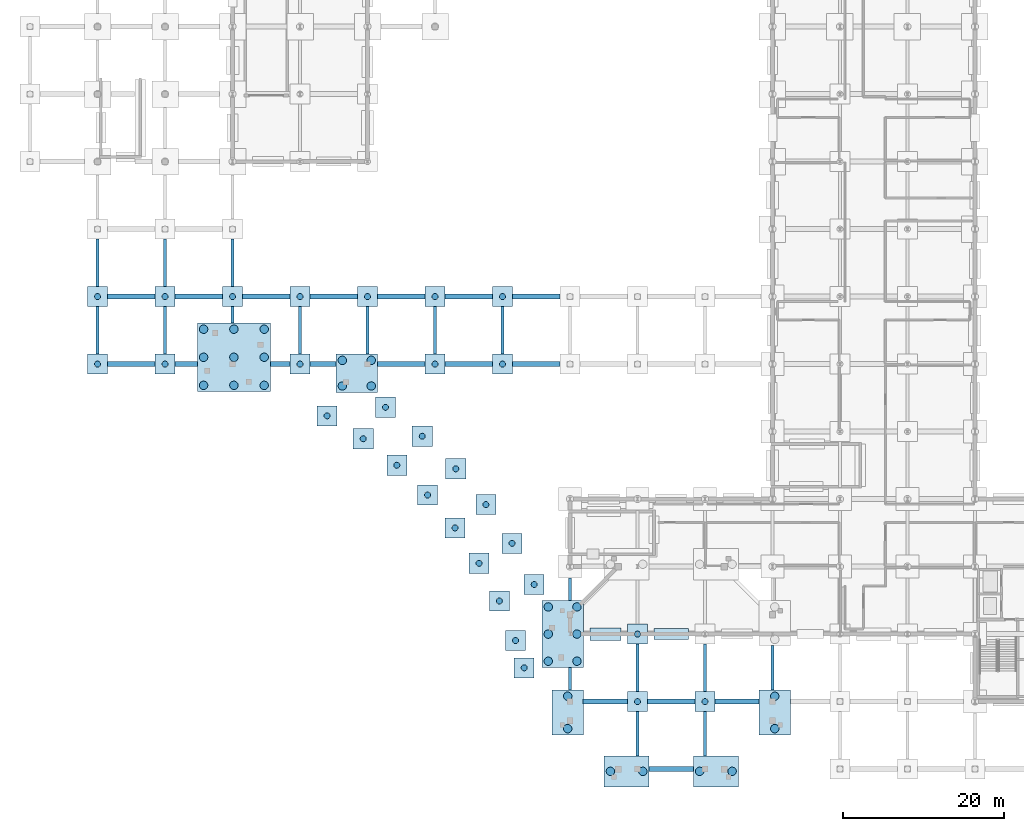
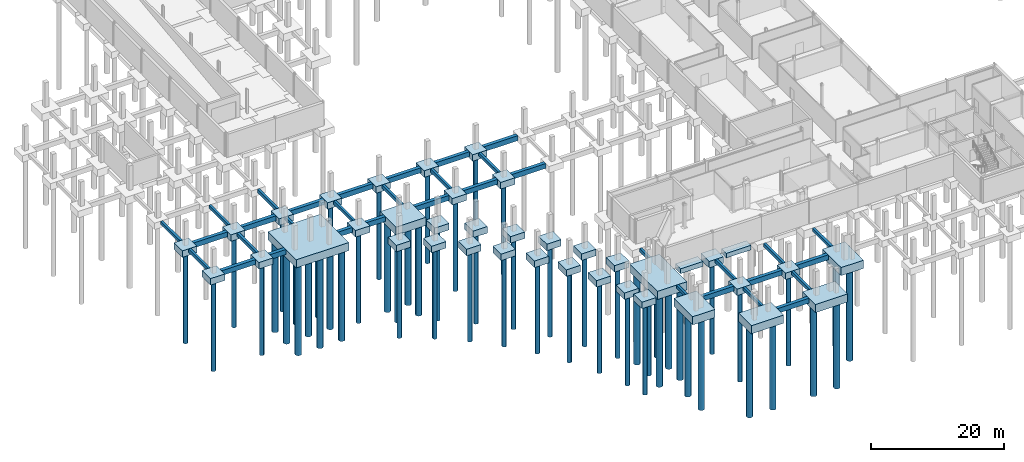
# One storey, part 1 of 43: 74 footings, 57 piles.
"""IFC4 building model written with IfcOpenShell, lengths in metres."""

from ifc_helpers import new_model, si_unit, direction, frame, origin, origin_2d, place, context, subcontext, project, spatial, rectangle, circle, extrude, material, layer, layer_set, material_profile, profile_set, type_object, element, save


model = new_model("IFC4")

# Units and contexts
model_context = context("Model", 3, precision=1e-05, world=origin(), true_north=direction((0.0, 1.0)))
body_context = subcontext(model_context, "Body", "Model", "MODEL_VIEW")
ifc_project = project(units=[si_unit("LENGTHUNIT", "METRE"), si_unit("AREAUNIT", "SQUARE_METRE"), si_unit("VOLUMEUNIT", "CUBIC_METRE"), si_unit("PLANEANGLEUNIT", "RADIAN"), si_unit("MASSUNIT", "GRAM", prefix="KILO")], contexts=[model_context])

# Site, building, storey
site_placement = place(None, origin())
site = spatial("IfcSite", under=ifc_project, at=site_placement, CompositionType="ELEMENT")
building_placement = place(site_placement, origin())
building = spatial("IfcBuilding", under=site, at=building_placement, Name="Mersafa Astral City Hall", CompositionType="ELEMENT")
storey_placement = place(building_placement, frame((0.0, 0.0, -4.5)))
storey = spatial("IfcBuildingStorey", under=building, at=storey_placement, Name="B1", CompositionType="ELEMENT", Elevation=-4.5)

# Footings
ifc_material = material(Name="Concrete C40/50", Category="concrete")
ifc_layer_1 = layer(ifc_material, 1.5, Name="Concrete C40/50")
ifc_layer_set_1 = layer_set([ifc_layer_1], Name="Concrete C40/50 — STR-FTG-PC-1-387X561X1500")
footing_type_1 = type_object("IfcFootingType", Name="STR-FTG-PC-1-387X561X1500", PredefinedType="PILE_CAP", material=ifc_layer_set_1)
for number, where, z_axis, x_axis, name in (
    (1, (74.2451171875, -0.287109375, -1.5), (0.0, 0.0, 1.0), (1.0, 0.0, 0.0), "Reinforced concrete pile cap 1"),
    (2, (85.35498046875, -0.287109375, -1.5), (0.0, 0.0, 1.0), (1.0, 0.0, 0.0), "Reinforced concrete pile cap 2"),
):
    element("IfcFooting", number, at=place(storey_placement, frame(where, z_axis=z_axis, x_axis=x_axis)), inside=storey, type_object=footing_type_1, Name=name, PredefinedType="PILE_CAP", context=body_context, shape_type="SweptSolid", body=[
        extrude(rectangle(XDim=5.610107421875, YDim=3.8740234375, at=origin_2d()), origin(), (0.0, 0.0, 1.0), 1.5),
    ])
for number, where, z_axis, x_axis, name in (
    (3, (66.9130859375, 7.044921875, -1.5), (0.0, 0.0, 1.0), (1.0, 0.0, 0.0), "Reinforced concrete pile cap 10"),
    (4, (92.68701171875, 7.044921875, -1.5), (0.0, 0.0, 1.0), (1.0, 0.0, 0.0), "Reinforced concrete pile cap 11"),
):
    element("IfcFooting", number, at=place(storey_placement, frame(where, z_axis=z_axis, x_axis=x_axis)), inside=storey, type_object=footing_type_1, Name=name, PredefinedType="PILE_CAP", context=body_context, shape_type="SweptSolid", body=[
        extrude(rectangle(XDim=3.8740234375, YDim=5.610107421875, at=origin_2d()), origin(), (0.0, 0.0, 1.0), 1.5),
    ])
ifc_layer_2 = layer(ifc_material, 1.199951171875, Name="Concrete C40/50")
ifc_layer_set_2 = layer_set([ifc_layer_2], Name="Concrete C40/50 — STR-FTG-PC-2-250X250X1200")
footing_type_2 = type_object("IfcFootingType", Name="STR-FTG-PC-2-250X250X1200", PredefinedType="PILE_CAP", material=ifc_layer_set_2)
for number, where, z_axis, x_axis, name in (
    (5, (75.60009765625, 8.39990234375, -1.2001953125), (0.0, 0.0, 1.0), (1.0, 0.0, 0.0), "Reinforced concrete pile cap 16"),
    (6, (84.0, 8.39990234375, -1.2001953125), (0.0, 0.0, 1.0), (1.0, 0.0, 0.0), "Reinforced concrete pile cap 17"),
    (7, (61.5, 12.60009765625, -1.2001953125), (0.0, 0.0, 1.0), (1.0, 0.0, 0.0), "Reinforced concrete pile cap 21"),
    (8, (60.43310546875, 15.988037109375, -1.2001953125), (0.0, 0.0, 1.0), (1.0, 0.0, 0.0), "Reinforced concrete pile cap 23"),
    (9, (75.60009765625, 16.800048828125, -1.2001953125), (0.0, 0.0, 1.0), (1.0, 0.0, 0.0), "Reinforced concrete pile cap 29"),
    (10, (58.405029296875, 20.9140625, -1.2001953125), (0.0, 0.0, 1.0), (1.0, 0.0, 0.0), "Reinforced concrete pile cap 34"),
    (11, (62.743896484375, 22.967041015625, -1.2001953125), (0.0, 0.0, 1.0), (1.0, 0.0, 0.0), "Reinforced concrete pile cap 35"),
    (12, (55.883056640625, 25.60693359375, -1.2001953125), (0.0, 0.0, 1.0), (1.0, 0.0, 0.0), "Reinforced concrete pile cap 47"),
    (13, (59.989990234375, 28.093017578125, -1.2001953125), (0.0, 0.0, 1.0), (1.0, 0.0, 0.0), "Reinforced concrete pile cap 48"),
    (14, (52.89501953125, 30.01708984375, -1.2001953125), (0.0, 0.0, 1.0), (1.0, 0.0, 0.0), "Reinforced concrete pile cap 49"),
    (15, (56.72607421875, 32.909912109375, -1.2001953125), (0.0, 0.0, 1.0), (1.0, 0.0, 0.0), "Reinforced concrete pile cap 50"),
    (16, (49.470947265625, 34.09912109375, -1.2001953125), (0.0, 0.0, 1.0), (1.0, 0.0, 0.0), "Reinforced concrete pile cap 62"),
    (17, (52.986083984375, 37.367919921875, -1.2001953125), (0.0, 0.0, 1.0), (1.0, 0.0, 0.0), "Reinforced concrete pile cap 63"),
    (18, (45.64794921875, 37.80810546875, -1.2001953125), (0.0, 0.0, 1.0), (1.0, 0.0, 0.0), "Reinforced concrete pile cap 64"),
    (19, (41.465087890625, 41.10693359375, -1.2001953125), (0.0, 0.0, 1.0), (1.0, 0.0, 0.0), "Reinforced concrete pile cap 65"),
    (20, (48.80908203125, 41.419921875, -1.2001953125), (0.0, 0.0, 1.0), (1.0, 0.0, 0.0), "Reinforced concrete pile cap 66"),
    (21, (36.966064453125, 43.9609375, -1.2001953125), (0.0, 0.0, 1.0), (1.0, 0.0, 0.0), "Reinforced concrete pile cap 75"),
    (22, (44.239990234375, 45.02294921875, -1.2001953125), (0.0, 0.0, 1.0), (1.0, 0.0, 0.0), "Reinforced concrete pile cap 76"),
    (23, (8.39990234375, 50.39990234375, -1.2001953125), (0.0, 0.0, 1.0), (1.0, 0.0, 0.0), "Reinforced concrete pile cap 84"),
    (24, (16.800048828125, 50.39990234375, -1.2001953125), (0.0, 0.0, 1.0), (1.0, 0.0, 0.0), "Reinforced concrete pile cap 85"),
    (25, (33.60009765625, 50.39990234375, -1.2001953125), (0.0, 0.0, 1.0), (1.0, 0.0, 0.0), "Reinforced concrete pile cap 86"),
    (26, (50.39990234375, 50.39990234375, -1.2001953125), (0.0, 0.0, 1.0), (1.0, 0.0, 0.0), "Reinforced concrete pile cap 87"),
    (27, (58.800048828125, 50.39990234375, -1.2001953125), (0.0, 0.0, 1.0), (1.0, 0.0, 0.0), "Reinforced concrete pile cap 88"),
    (28, (8.39990234375, 58.800048828125, -1.2001953125), (0.0, 0.0, 1.0), (1.0, 0.0, 0.0), "Reinforced concrete pile cap 100"),
    (29, (16.800048828125, 58.800048828125, -1.2001953125), (0.0, 0.0, 1.0), (1.0, 0.0, 0.0), "Reinforced concrete pile cap 101"),
    (30, (25.199951171875, 58.800048828125, -1.2001953125), (0.0, 0.0, 1.0), (1.0, 0.0, 0.0), "Reinforced concrete pile cap 102"),
    (31, (33.60009765625, 58.800048828125, -1.2001953125), (0.0, 0.0, 1.0), (1.0, 0.0, 0.0), "Reinforced concrete pile cap 103"),
    (32, (42.0, 58.800048828125, -1.2001953125), (0.0, 0.0, 1.0), (1.0, 0.0, 0.0), "Reinforced concrete pile cap 104"),
    (33, (50.39990234375, 58.800048828125, -1.2001953125), (0.0, 0.0, 1.0), (1.0, 0.0, 0.0), "Reinforced concrete pile cap 105"),
    (34, (58.800048828125, 58.800048828125, -1.2001953125), (0.0, 0.0, 1.0), (1.0, 0.0, 0.0), "Reinforced concrete pile cap 106"),
):
    element("IfcFooting", number, at=place(storey_placement, frame(where, z_axis=z_axis, x_axis=x_axis)), inside=storey, type_object=footing_type_2, Name=name, PredefinedType="PILE_CAP", context=body_context, shape_type="SweptSolid", body=[
        extrude(rectangle(XDim=2.5, YDim=2.5, at=origin_2d()), origin(), (0.0, 0.0, 1.0), 1.199951171875),
    ])
ifc_layer_3 = layer(ifc_material, 1.5, Name="Concrete C40/50")
ifc_layer_set_3 = layer_set([ifc_layer_3], Name="Concrete C40/50 — STR-FTG-PC-4-514X832X1500")
footing_type_3 = type_object("IfcFootingType", Name="STR-FTG-PC-4-514X832X1500", PredefinedType="PILE_CAP", material=ifc_layer_set_3)
footing_1_placement = place(storey_placement, frame((66.279541015625, 16.797607421875, -1.5), z_axis=(0.0, 0.0, 1.0), x_axis=(1.0, 0.0, 0.0)))
element("IfcFooting", 35, at=footing_1_placement, inside=storey, type_object=footing_type_3, Name="Reinforced concrete pile cap 22", PredefinedType="PILE_CAP", context=body_context, shape_type="SweptSolid", body=[
    extrude(rectangle(XDim=5.14111328125, YDim=8.324951171875, at=origin_2d()), origin(), (0.0, 0.0, 1.0), 1.5),
])
ifc_layer_4 = layer(ifc_material, 1.5, Name="Concrete C40/50")
ifc_layer_set_4 = layer_set([ifc_layer_4], Name="Concrete C40/50 — STR-FTG-PC-5-476X517X1500")
footing_type_4 = type_object("IfcFootingType", Name="STR-FTG-PC-5-476X517X1500", PredefinedType="PILE_CAP", material=ifc_layer_set_4)
footing_2_placement = place(storey_placement, frame((40.66357421875, 49.2705078125, -1.5), z_axis=(0.0, 0.0, 1.0), x_axis=(1.0, 0.0, 0.0)))
element("IfcFooting", 36, at=footing_2_placement, inside=storey, type_object=footing_type_4, Name="Reinforced concrete pile cap 77", PredefinedType="PILE_CAP", context=body_context, shape_type="SweptSolid", body=[
    extrude(rectangle(XDim=5.173095703125, YDim=4.759033203125, at=origin_2d()), origin(), (0.0, 0.0, 1.0), 1.5),
])
ifc_layer_5 = layer(ifc_material, 1.5, Name="Concrete C40/50")
ifc_layer_set_5 = layer_set([ifc_layer_5], Name="Concrete C40/50 — STR-FTG-PC-6-856X911X1500")
footing_type_5 = type_object("IfcFootingType", Name="STR-FTG-PC-6-856X911X1500", PredefinedType="PILE_CAP", material=ifc_layer_set_5)
footing_3_placement = place(storey_placement, frame((25.368408203125, 51.24609375, -1.5), z_axis=(0.0, 0.0, 1.0), x_axis=(1.0, 0.0, 0.0)))
element("IfcFooting", 37, at=footing_3_placement, inside=storey, type_object=footing_type_5, Name="Reinforced concrete pile cap 78", PredefinedType="PILE_CAP", context=body_context, shape_type="SweptSolid", body=[
    extrude(rectangle(XDim=9.111083984375, YDim=8.555908203125, at=origin_2d()), origin(), (0.0, 0.0, 1.0), 1.5),
])
ifc_layer_6 = layer(ifc_material, 0.85009765625, Name="Concrete C40/50")
ifc_layer_set_6 = layer_set([ifc_layer_6], Name="Concrete C40/50 — STR-FTG-STRIP-3")
footing_type_6 = type_object("IfcFootingType", Name="STR-FTG-STRIP-3", PredefinedType="STRIP_FOOTING", material=ifc_layer_set_6)
footing_4_placement = place(storey_placement, frame((79.800048828125, 16.800048828125, -0.85009765625), z_axis=(0.0, 0.0, 1.0), x_axis=(-1.0, 0.0, 0.0)))
element("IfcFooting", 38, at=footing_4_placement, inside=storey, type_object=footing_type_6, Name="Retaining wall strip footing 98", PredefinedType="STRIP_FOOTING", context=body_context, shape_type="SweptSolid", body=[
    extrude(rectangle(XDim=4.260009765625, YDim=1.39990234375, at=origin_2d()), origin(), (0.0, 0.0, 1.0), 0.85009765625),
])
ifc_layer_7 = layer(ifc_material, 0.89990234375, Name="Concrete C40/50")
ifc_layer_set_7 = layer_set([ifc_layer_7], Name="Concrete C40/50 — STR-FTG-STRIP-4")
footing_type_7 = type_object("IfcFootingType", Name="STR-FTG-STRIP-4", PredefinedType="STRIP_FOOTING", material=ifc_layer_set_7)
footing_5_placement = place(storey_placement, frame((71.60009765625, 16.800048828125, -0.89990234375), z_axis=(0.0, 0.0, 1.0), x_axis=(-1.0, 0.0, 0.0)))
element("IfcFooting", 39, at=footing_5_placement, inside=storey, type_object=footing_type_7, Name="Retaining wall strip footing 99", PredefinedType="STRIP_FOOTING", context=body_context, shape_type="SweptSolid", body=[
    extrude(rectangle(XDim=3.860107421875, YDim=1.550048828125, at=origin_2d()), origin(), (0.0, 0.0, 1.0), 0.89990234375),
])
ifc_material_profile_1 = material_profile(ifc_material, rectangle(XDim=0.39990234375, YDim=0.60009765625, at=origin_2d()), Name="RC 400x600")
ifc_profile_set_1 = profile_set([ifc_material_profile_1], Name="Concrete C40/50")
footing_type_8 = type_object("IfcFootingType", Name="STR-FTG-TIE-400X600", PredefinedType="FOOTING_BEAM", material=ifc_profile_set_1)
footing_6_placement = place(storey_placement, frame((8.39990234375, 51.64794921875, -0.300048828125), z_axis=(0.0, 1.0, 0.0), x_axis=(-1.0, 0.0, 0.0)))
element("IfcFooting", 40, at=footing_6_placement, inside=storey, type_object=footing_type_8, Name="Reinforced concrete ground tie beam 7", PredefinedType="FOOTING_BEAM", context=body_context, shape_type="SweptSolid", body=[
    extrude(rectangle(XDim=0.39990234375, YDim=0.60009765625, at=origin_2d()), origin(), (0.0, 0.0, 1.0), 5.904052734375),
])
footing_7_placement = place(storey_placement, frame((8.39990234375, 60.048095703125, -0.300048828125), z_axis=(0.0, 1.0, 0.0), x_axis=(-1.0, 0.0, 0.0)))
element("IfcFooting", 41, at=footing_7_placement, inside=storey, type_object=footing_type_8, Name="Reinforced concrete ground tie beam 9", PredefinedType="FOOTING_BEAM", context=body_context, shape_type="SweptSolid", body=[
    extrude(rectangle(XDim=0.39990234375, YDim=0.60009765625, at=origin_2d()), origin(), (0.0, 0.0, 1.0), 5.90380859375),
])
footing_8_placement = place(storey_placement, frame((16.800048828125, 51.64794921875, -0.300048828125), z_axis=(0.0, 1.0, 0.0), x_axis=(-1.0, 0.0, 0.0)))
element("IfcFooting", 42, at=footing_8_placement, inside=storey, type_object=footing_type_8, Name="Reinforced concrete ground tie beam 19", PredefinedType="FOOTING_BEAM", context=body_context, shape_type="SweptSolid", body=[
    extrude(rectangle(XDim=0.39990234375, YDim=0.60009765625, at=origin_2d()), origin(), (0.0, 0.0, 1.0), 5.904052734375),
])
footing_9_placement = place(storey_placement, frame((16.800048828125, 60.048095703125, -0.300048828125), z_axis=(0.0, 1.0, 0.0), x_axis=(-1.0, 0.0, 0.0)))
element("IfcFooting", 43, at=footing_9_placement, inside=storey, type_object=footing_type_8, Name="Reinforced concrete ground tie beam 21", PredefinedType="FOOTING_BEAM", context=body_context, shape_type="SweptSolid", body=[
    extrude(rectangle(XDim=0.39990234375, YDim=0.60009765625, at=origin_2d()), origin(), (0.0, 0.0, 1.0), 5.90380859375),
])
footing_10_placement = place(storey_placement, frame((25.199951171875, 55.52197265625, -0.300048828125), z_axis=(0.0, 1.0, 0.0), x_axis=(-1.0, 0.0, 0.0)))
element("IfcFooting", 44, at=footing_10_placement, inside=storey, type_object=footing_type_8, Name="Reinforced concrete ground tie beam 32", PredefinedType="FOOTING_BEAM", context=body_context, shape_type="SweptSolid", body=[
    extrude(rectangle(XDim=0.39990234375, YDim=0.60009765625, at=origin_2d()), origin(), (0.0, 0.0, 1.0), 2.030029296875),
])
footing_11_placement = place(storey_placement, frame((25.199951171875, 60.048095703125, -0.300048828125), z_axis=(0.0, 1.0, 0.0), x_axis=(-1.0, 0.0, 0.0)))
element("IfcFooting", 45, at=footing_11_placement, inside=storey, type_object=footing_type_8, Name="Reinforced concrete ground tie beam 34", PredefinedType="FOOTING_BEAM", context=body_context, shape_type="SweptSolid", body=[
    extrude(rectangle(XDim=0.39990234375, YDim=0.60009765625, at=origin_2d()), origin(), (0.0, 0.0, 1.0), 5.90380859375),
])
for number, where, z_axis, x_axis, name in (
    (46, (33.60009765625, 51.64794921875, -0.300048828125), (0.0, 1.0, 0.0), (-1.0, 0.0, 0.0), "Reinforced concrete ground tie beam 42"),
    (47, (42.0, 51.64794921875, -0.300048828125), (0.0, 1.0, 0.0), (-1.0, 0.0, 0.0), "Reinforced concrete ground tie beam 56"),
    (48, (50.39990234375, 51.64794921875, -0.300048828125), (0.0, 1.0, 0.0), (-1.0, 0.0, 0.0), "Reinforced concrete ground tie beam 64"),
    (49, (58.800048828125, 51.64794921875, -0.300048828125), (0.0, 1.0, 0.0), (-1.0, 0.0, 0.0), "Reinforced concrete ground tie beam 72"),
):
    element("IfcFooting", number, at=place(storey_placement, frame(where, z_axis=z_axis, x_axis=x_axis)), inside=storey, type_object=footing_type_8, Name=name, PredefinedType="FOOTING_BEAM", context=body_context, shape_type="SweptSolid", body=[
        extrude(rectangle(XDim=0.39990234375, YDim=0.60009765625, at=origin_2d()), origin(), (0.0, 0.0, 1.0), 5.904052734375),
    ])
footing_12_placement = place(storey_placement, frame((67.199951171875, 9.847900390625, -0.300048828125), z_axis=(0.0, 1.0, 0.0), x_axis=(-1.0, 0.0, 0.0)))
element("IfcFooting", 50, at=footing_12_placement, inside=storey, type_object=footing_type_8, Name="Reinforced concrete ground tie beam 77", PredefinedType="FOOTING_BEAM", context=body_context, shape_type="SweptSolid", body=[
    extrude(rectangle(XDim=0.39990234375, YDim=0.60009765625, at=origin_2d()), origin(), (0.0, 0.0, 1.0), 2.7890625),
])
footing_13_placement = place(storey_placement, frame((67.199951171875, 20.9580078125, -0.300048828125), z_axis=(0.0, 1.0, 0.0), x_axis=(-1.0, 0.0, 0.0)))
element("IfcFooting", 51, at=footing_13_placement, inside=storey, type_object=footing_type_8, Name="Reinforced concrete ground tie beam 78", PredefinedType="FOOTING_BEAM", context=body_context, shape_type="SweptSolid", body=[
    extrude(rectangle(XDim=0.39990234375, YDim=0.60009765625, at=origin_2d()), origin(), (0.0, 0.0, 1.0), 2.7939453125),
])
footing_14_placement = place(storey_placement, frame((75.60009765625, 1.64794921875, -0.300048828125), z_axis=(0.0, 1.0, 0.0), x_axis=(-1.0, 0.0, 0.0)))
element("IfcFooting", 52, at=footing_14_placement, inside=storey, type_object=footing_type_8, Name="Reinforced concrete ground tie beam 86", PredefinedType="FOOTING_BEAM", context=body_context, shape_type="SweptSolid", body=[
    extrude(rectangle(XDim=0.39990234375, YDim=0.60009765625, at=origin_2d()), origin(), (0.0, 0.0, 1.0), 5.504150390625),
])
footing_15_placement = place(storey_placement, frame((75.60009765625, 9.64794921875, -0.300048828125), z_axis=(0.0, 1.0, 0.0), x_axis=(-1.0, 0.0, 0.0)))
element("IfcFooting", 53, at=footing_15_placement, inside=storey, type_object=footing_type_8, Name="Reinforced concrete ground tie beam 88", PredefinedType="FOOTING_BEAM", context=body_context, shape_type="SweptSolid", body=[
    extrude(rectangle(XDim=0.39990234375, YDim=0.60009765625, at=origin_2d()), origin(), (0.0, 0.0, 1.0), 5.904052734375),
])
footing_16_placement = place(storey_placement, frame((84.0, 1.64794921875, -0.300048828125), z_axis=(0.0, 1.0, 0.0), x_axis=(-1.0, 0.0, 0.0)))
element("IfcFooting", 54, at=footing_16_placement, inside=storey, type_object=footing_type_8, Name="Reinforced concrete ground tie beam 96", PredefinedType="FOOTING_BEAM", context=body_context, shape_type="SweptSolid", body=[
    extrude(rectangle(XDim=0.39990234375, YDim=0.60009765625, at=origin_2d()), origin(), (0.0, 0.0, 1.0), 5.504150390625),
])
footing_17_placement = place(storey_placement, frame((84.0, 9.64794921875, -0.300048828125), z_axis=(0.0, 1.0, 0.0), x_axis=(-1.0, 0.0, 0.0)))
element("IfcFooting", 55, at=footing_17_placement, inside=storey, type_object=footing_type_8, Name="Reinforced concrete ground tie beam 98", PredefinedType="FOOTING_BEAM", context=body_context, shape_type="SweptSolid", body=[
    extrude(rectangle(XDim=0.39990234375, YDim=0.60009765625, at=origin_2d()), origin(), (0.0, 0.0, 1.0), 5.904052734375),
])
footing_18_placement = place(storey_placement, frame((92.39990234375, 9.847900390625, -0.300048828125), z_axis=(0.0, 1.0, 0.0), x_axis=(-1.0, 0.0, 0.0)))
element("IfcFooting", 56, at=footing_18_placement, inside=storey, type_object=footing_type_8, Name="Reinforced concrete ground tie beam 107", PredefinedType="FOOTING_BEAM", context=body_context, shape_type="SweptSolid", body=[
    extrude(rectangle(XDim=0.39990234375, YDim=0.60009765625, at=origin_2d()), origin(), (0.0, 0.0, 1.0), 5.504150390625),
])
ifc_material_profile_2 = material_profile(ifc_material, rectangle(XDim=0.60009765625, YDim=0.89990234375, at=origin_2d()), Name="RC 600x900")
ifc_profile_set_2 = profile_set([ifc_material_profile_2], Name="Concrete C40/50")
footing_type_9 = type_object("IfcFootingType", Name="STR-FTG-TIE-600X900", PredefinedType="FOOTING_BEAM", material=ifc_profile_set_2)
for number, where, z_axis, x_axis, name in (
    (57, (9.64794921875, 50.39990234375, -0.449951171875), (1.0, 0.0, 0.0), (0.0, 1.0, 0.0), "Reinforced concrete ground tie beam 6"),
    (58, (9.64794921875, 58.800048828125, -0.449951171875), (1.0, 0.0, 0.0), (0.0, 1.0, 0.0), "Reinforced concrete ground tie beam 8"),
):
    element("IfcFooting", number, at=place(storey_placement, frame(where, z_axis=z_axis, x_axis=x_axis)), inside=storey, type_object=footing_type_9, Name=name, PredefinedType="FOOTING_BEAM", context=body_context, shape_type="SweptSolid", body=[
        extrude(rectangle(XDim=0.60009765625, YDim=0.89990234375, at=origin_2d()), origin(), (0.0, 0.0, 1.0), 5.904052734375),
    ])
footing_19_placement = place(storey_placement, frame((18.048095703125, 50.39990234375, -0.449951171875), z_axis=(1.0, 0.0, 0.0), x_axis=(0.0, 1.0, 0.0)))
element("IfcFooting", 59, at=footing_19_placement, inside=storey, type_object=footing_type_9, Name="Reinforced concrete ground tie beam 18", PredefinedType="FOOTING_BEAM", context=body_context, shape_type="SweptSolid", body=[
    extrude(rectangle(XDim=0.60009765625, YDim=0.89990234375, at=origin_2d()), origin(), (0.0, 0.0, 1.0), 2.766845703125),
])
footing_20_placement = place(storey_placement, frame((18.048095703125, 58.800048828125, -0.449951171875), z_axis=(1.0, 0.0, 0.0), x_axis=(0.0, 1.0, 0.0)))
element("IfcFooting", 60, at=footing_20_placement, inside=storey, type_object=footing_type_9, Name="Reinforced concrete ground tie beam 20", PredefinedType="FOOTING_BEAM", context=body_context, shape_type="SweptSolid", body=[
    extrude(rectangle(XDim=0.60009765625, YDim=0.89990234375, at=origin_2d()), origin(), (0.0, 0.0, 1.0), 5.90380859375),
])
footing_21_placement = place(storey_placement, frame((29.922119140625, 50.39990234375, -0.449951171875), z_axis=(1.0, 0.0, 0.0), x_axis=(0.0, 1.0, 0.0)))
element("IfcFooting", 61, at=footing_21_placement, inside=storey, type_object=footing_type_9, Name="Reinforced concrete ground tie beam 31", PredefinedType="FOOTING_BEAM", context=body_context, shape_type="SweptSolid", body=[
    extrude(rectangle(XDim=0.60009765625, YDim=0.89990234375, at=origin_2d()), origin(), (0.0, 0.0, 1.0), 2.429931640625),
])
footing_22_placement = place(storey_placement, frame((26.447998046875, 58.800048828125, -0.449951171875), z_axis=(1.0, 0.0, 0.0), x_axis=(0.0, 1.0, 0.0)))
element("IfcFooting", 62, at=footing_22_placement, inside=storey, type_object=footing_type_9, Name="Reinforced concrete ground tie beam 33", PredefinedType="FOOTING_BEAM", context=body_context, shape_type="SweptSolid", body=[
    extrude(rectangle(XDim=0.60009765625, YDim=0.89990234375, at=origin_2d()), origin(), (0.0, 0.0, 1.0), 5.904052734375),
])
footing_23_placement = place(storey_placement, frame((34.847900390625, 50.39990234375, -0.449951171875), z_axis=(1.0, 0.0, 0.0), x_axis=(0.0, 1.0, 0.0)))
element("IfcFooting", 63, at=footing_23_placement, inside=storey, type_object=footing_type_9, Name="Reinforced concrete ground tie beam 41", PredefinedType="FOOTING_BEAM", context=body_context, shape_type="SweptSolid", body=[
    extrude(rectangle(XDim=0.60009765625, YDim=0.89990234375, at=origin_2d()), origin(), (0.0, 0.0, 1.0), 3.231201171875),
])
for number, where, z_axis, x_axis, name in (
    (64, (34.847900390625, 58.800048828125, -0.449951171875), (1.0, 0.0, 0.0), (0.0, 1.0, 0.0), "Reinforced concrete ground tie beam 43"),
    (65, (43.248046875, 50.39990234375, -0.449951171875), (1.0, 0.0, 0.0), (0.0, 1.0, 0.0), "Reinforced concrete ground tie beam 55"),
    (66, (43.248046875, 58.800048828125, -0.449951171875), (1.0, 0.0, 0.0), (0.0, 1.0, 0.0), "Reinforced concrete ground tie beam 57"),
    (67, (51.64794921875, 50.39990234375, -0.449951171875), (1.0, 0.0, 0.0), (0.0, 1.0, 0.0), "Reinforced concrete ground tie beam 63"),
    (68, (51.64794921875, 58.800048828125, -0.449951171875), (1.0, 0.0, 0.0), (0.0, 1.0, 0.0), "Reinforced concrete ground tie beam 65"),
):
    element("IfcFooting", number, at=place(storey_placement, frame(where, z_axis=z_axis, x_axis=x_axis)), inside=storey, type_object=footing_type_9, Name=name, PredefinedType="FOOTING_BEAM", context=body_context, shape_type="SweptSolid", body=[
        extrude(rectangle(XDim=0.60009765625, YDim=0.89990234375, at=origin_2d()), origin(), (0.0, 0.0, 1.0), 5.904052734375),
    ])
for number, where, z_axis, x_axis, name in (
    (69, (60.048095703125, 50.39990234375, -0.449951171875), (1.0, 0.0, 0.0), (0.0, 1.0, 0.0), "Reinforced concrete ground tie beam 71"),
    (70, (60.048095703125, 58.800048828125, -0.449951171875), (1.0, 0.0, 0.0), (0.0, 1.0, 0.0), "Reinforced concrete ground tie beam 73"),
):
    element("IfcFooting", number, at=place(storey_placement, frame(where, z_axis=z_axis, x_axis=x_axis)), inside=storey, type_object=footing_type_9, Name=name, PredefinedType="FOOTING_BEAM", context=body_context, shape_type="SweptSolid", body=[
        extrude(rectangle(XDim=0.60009765625, YDim=0.89990234375, at=origin_2d()), origin(), (0.0, 0.0, 1.0), 5.90380859375),
    ])
footing_24_placement = place(storey_placement, frame((68.847900390625, 8.39990234375, -0.449951171875), z_axis=(1.0, 0.0, 0.0), x_axis=(0.0, 1.0, 0.0)))
element("IfcFooting", 71, at=footing_24_placement, inside=storey, type_object=footing_type_9, Name="Reinforced concrete ground tie beam 76", PredefinedType="FOOTING_BEAM", context=body_context, shape_type="SweptSolid", body=[
    extrude(rectangle(XDim=0.60009765625, YDim=0.89990234375, at=origin_2d()), origin(), (0.0, 0.0, 1.0), 5.504150390625),
])
footing_25_placement = place(storey_placement, frame((77.048095703125, 0.0, -0.449951171875), z_axis=(1.0, 0.0, 0.0), x_axis=(0.0, 1.0, 0.0)))
element("IfcFooting", 72, at=footing_25_placement, inside=storey, type_object=footing_type_9, Name="Reinforced concrete ground tie beam 85", PredefinedType="FOOTING_BEAM", context=body_context, shape_type="SweptSolid", body=[
    extrude(rectangle(XDim=0.60009765625, YDim=0.89990234375, at=origin_2d()), origin(), (0.0, 0.0, 1.0), 5.50390625),
])
footing_26_placement = place(storey_placement, frame((76.847900390625, 8.39990234375, -0.449951171875), z_axis=(1.0, 0.0, 0.0), x_axis=(0.0, 1.0, 0.0)))
element("IfcFooting", 73, at=footing_26_placement, inside=storey, type_object=footing_type_9, Name="Reinforced concrete ground tie beam 87", PredefinedType="FOOTING_BEAM", context=body_context, shape_type="SweptSolid", body=[
    extrude(rectangle(XDim=0.60009765625, YDim=0.89990234375, at=origin_2d()), origin(), (0.0, 0.0, 1.0), 5.904052734375),
])
footing_27_placement = place(storey_placement, frame((85.248046875, 8.39990234375, -0.449951171875), z_axis=(1.0, 0.0, 0.0), x_axis=(0.0, 1.0, 0.0)))
element("IfcFooting", 74, at=footing_27_placement, inside=storey, type_object=footing_type_9, Name="Reinforced concrete ground tie beam 97", PredefinedType="FOOTING_BEAM", context=body_context, shape_type="SweptSolid", body=[
    extrude(rectangle(XDim=0.60009765625, YDim=0.89990234375, at=origin_2d()), origin(), (0.0, 0.0, 1.0), 5.50390625),
])

# Piles
ifc_material_profile_3 = material_profile(ifc_material, circle(Radius=0.52490234375, at=origin_2d()), Name="PILE D1050")
ifc_profile_set_3 = profile_set([ifc_material_profile_3], Name="Concrete C40/50")
pile_type_1 = type_object("IfcPileType", Name="STR-PILE-D1050", PredefinedType="BORED", material=ifc_profile_set_3)
for number, where, z_axis, x_axis, name in (
    (75, (72.22509765625, -0.287109375, -1.35009765625), (0.0, 0.0, -1.0), (1.0, 0.0, 0.0), "Bored concrete pile 1"),
    (76, (76.264892578125, -0.287109375, -1.35009765625), (0.0, 0.0, -1.0), (1.0, 0.0, 0.0), "Bored concrete pile 2"),
    (77, (83.3349609375, -0.287109375, -1.35009765625), (0.0, 0.0, -1.0), (1.0, 0.0, 0.0), "Bored concrete pile 3"),
    (78, (87.375, -0.287109375, -1.35009765625), (0.0, 0.0, -1.0), (1.0, 0.0, 0.0), "Bored concrete pile 4"),
    (79, (66.9130859375, 5.02490234375, -1.35009765625), (0.0, 0.0, -1.0), (1.0, 0.0, 0.0), "Bored concrete pile 12"),
    (80, (66.9130859375, 9.06494140625, -1.35009765625), (0.0, 0.0, -1.0), (1.0, 0.0, 0.0), "Bored concrete pile 13"),
    (81, (92.68701171875, 5.02490234375, -1.35009765625), (0.0, 0.0, -1.0), (1.0, 0.0, 0.0), "Bored concrete pile 14"),
    (82, (92.68701171875, 9.06494140625, -1.35009765625), (0.0, 0.0, -1.0), (1.0, 0.0, 0.0), "Bored concrete pile 15"),
    (83, (64.493896484375, 13.419921875, -1.35009765625), (0.0, 0.0, -1.0), (1.0, 0.0, 0.0), "Bored concrete pile 26"),
    (84, (64.493896484375, 16.797607421875, -1.35009765625), (0.0, 0.0, -1.0), (1.0, 0.0, 0.0), "Bored concrete pile 27"),
    (85, (64.493896484375, 20.175048828125, -1.35009765625), (0.0, 0.0, -1.0), (1.0, 0.0, 0.0), "Bored concrete pile 28"),
    (86, (68.06494140625, 13.419921875, -1.35009765625), (0.0, 0.0, -1.0), (1.0, 0.0, 0.0), "Bored concrete pile 29"),
    (87, (68.06494140625, 16.797607421875, -1.35009765625), (0.0, 0.0, -1.0), (1.0, 0.0, 0.0), "Bored concrete pile 30"),
    (88, (68.06494140625, 20.175048828125, -1.35009765625), (0.0, 0.0, -1.0), (1.0, 0.0, 0.0), "Bored concrete pile 31"),
    (89, (38.862060546875, 47.676025390625, -1.35009765625), (0.0, 0.0, -1.0), (1.0, 0.0, 0.0), "Bored concrete pile 89"),
    (90, (38.862060546875, 50.864990234375, -1.35009765625), (0.0, 0.0, -1.0), (1.0, 0.0, 0.0), "Bored concrete pile 90"),
    (91, (42.465087890625, 47.676025390625, -1.35009765625), (0.0, 0.0, -1.0), (1.0, 0.0, 0.0), "Bored concrete pile 91"),
    (92, (42.465087890625, 50.864990234375, -1.35009765625), (0.0, 0.0, -1.0), (1.0, 0.0, 0.0), "Bored concrete pile 92"),
    (93, (21.597900390625, 47.7529296875, -1.35009765625), (0.0, 0.0, -1.0), (1.0, 0.0, 0.0), "Bored concrete pile 93"),
    (94, (21.597900390625, 51.24609375, -1.35009765625), (0.0, 0.0, -1.0), (1.0, 0.0, 0.0), "Bored concrete pile 94"),
    (95, (21.597900390625, 54.739013671875, -1.35009765625), (0.0, 0.0, -1.0), (1.0, 0.0, 0.0), "Bored concrete pile 95"),
    (96, (25.368408203125, 47.7529296875, -1.35009765625), (0.0, 0.0, -1.0), (1.0, 0.0, 0.0), "Bored concrete pile 96"),
    (97, (25.368408203125, 51.24609375, -1.35009765625), (0.0, 0.0, -1.0), (1.0, 0.0, 0.0), "Bored concrete pile 97"),
    (98, (25.368408203125, 54.739013671875, -1.35009765625), (0.0, 0.0, -1.0), (1.0, 0.0, 0.0), "Bored concrete pile 98"),
    (99, (29.138916015625, 47.7529296875, -1.35009765625), (0.0, 0.0, -1.0), (1.0, 0.0, 0.0), "Bored concrete pile 99"),
    (100, (29.138916015625, 51.24609375, -1.35009765625), (0.0, 0.0, -1.0), (1.0, 0.0, 0.0), "Bored concrete pile 100"),
    (101, (29.138916015625, 54.739013671875, -1.35009765625), (0.0, 0.0, -1.0), (1.0, 0.0, 0.0), "Bored concrete pile 101"),
):
    element("IfcPile", number, at=place(storey_placement, frame(where, z_axis=z_axis, x_axis=x_axis)), inside=storey, type_object=pile_type_1, Name=name, PredefinedType="BORED", context=body_context, shape_type="SweptSolid", body=[
        extrude(circle(Radius=0.52490234375, at=origin_2d()), origin(), (0.0, 0.0, 1.0), 16.64990234375),
    ])
ifc_material_profile_4 = material_profile(ifc_material, circle(Radius=0.375, at=origin_2d()), Name="PILE D750")
ifc_profile_set_4 = profile_set([ifc_material_profile_4], Name="Concrete C40/50")
pile_type_2 = type_object("IfcPileType", Name="STR-PILE-D750", PredefinedType="BORED", material=ifc_profile_set_4)
for number, where, z_axis, x_axis, name in (
    (102, (75.60009765625, 8.39990234375, -1.050048828125), (0.0, 0.0, -1.0), (1.0, 0.0, 0.0), "Bored concrete pile 20"),
    (103, (84.0, 8.39990234375, -1.050048828125), (0.0, 0.0, -1.0), (1.0, 0.0, 0.0), "Bored concrete pile 21"),
    (104, (61.5, 12.60009765625, -1.050048828125), (0.0, 0.0, -1.0), (1.0, 0.0, 0.0), "Bored concrete pile 25"),
    (105, (60.43310546875, 15.988037109375, -1.050048828125), (0.0, 0.0, -1.0), (1.0, 0.0, 0.0), "Bored concrete pile 32"),
    (106, (75.60009765625, 16.800048828125, -1.050048828125), (0.0, 0.0, -1.0), (1.0, 0.0, 0.0), "Bored concrete pile 39"),
    (107, (58.405029296875, 20.9140625, -1.050048828125), (0.0, 0.0, -1.0), (1.0, 0.0, 0.0), "Bored concrete pile 44"),
    (108, (62.743896484375, 22.967041015625, -1.050048828125), (0.0, 0.0, -1.0), (1.0, 0.0, 0.0), "Bored concrete pile 45"),
    (109, (55.883056640625, 25.60693359375, -1.050048828125), (0.0, 0.0, -1.0), (1.0, 0.0, 0.0), "Bored concrete pile 59"),
    (110, (59.989990234375, 28.093017578125, -1.050048828125), (0.0, 0.0, -1.0), (1.0, 0.0, 0.0), "Bored concrete pile 60"),
    (111, (52.89501953125, 30.01708984375, -1.050048828125), (0.0, 0.0, -1.0), (1.0, 0.0, 0.0), "Bored concrete pile 61"),
    (112, (56.72607421875, 32.909912109375, -1.050048828125), (0.0, 0.0, -1.0), (1.0, 0.0, 0.0), "Bored concrete pile 62"),
    (113, (49.470947265625, 34.09912109375, -1.050048828125), (0.0, 0.0, -1.0), (1.0, 0.0, 0.0), "Bored concrete pile 74"),
    (114, (52.986083984375, 37.367919921875, -1.050048828125), (0.0, 0.0, -1.0), (1.0, 0.0, 0.0), "Bored concrete pile 75"),
    (115, (45.64794921875, 37.80810546875, -1.050048828125), (0.0, 0.0, -1.0), (1.0, 0.0, 0.0), "Bored concrete pile 76"),
    (116, (41.465087890625, 41.10693359375, -1.050048828125), (0.0, 0.0, -1.0), (1.0, 0.0, 0.0), "Bored concrete pile 77"),
    (117, (48.80908203125, 41.419921875, -1.050048828125), (0.0, 0.0, -1.0), (1.0, 0.0, 0.0), "Bored concrete pile 78"),
    (118, (36.966064453125, 43.9609375, -1.050048828125), (0.0, 0.0, -1.0), (1.0, 0.0, 0.0), "Bored concrete pile 87"),
    (119, (44.239990234375, 45.02294921875, -1.050048828125), (0.0, 0.0, -1.0), (1.0, 0.0, 0.0), "Bored concrete pile 88"),
    (120, (8.39990234375, 50.39990234375, -1.050048828125), (0.0, 0.0, -1.0), (1.0, 0.0, 0.0), "Bored concrete pile 107"),
    (121, (16.800048828125, 50.39990234375, -1.050048828125), (0.0, 0.0, -1.0), (1.0, 0.0, 0.0), "Bored concrete pile 108"),
    (122, (33.60009765625, 50.39990234375, -1.050048828125), (0.0, 0.0, -1.0), (1.0, 0.0, 0.0), "Bored concrete pile 109"),
    (123, (50.39990234375, 50.39990234375, -1.050048828125), (0.0, 0.0, -1.0), (1.0, 0.0, 0.0), "Bored concrete pile 110"),
    (124, (58.800048828125, 50.39990234375, -1.050048828125), (0.0, 0.0, -1.0), (1.0, 0.0, 0.0), "Bored concrete pile 111"),
    (125, (8.39990234375, 58.800048828125, -1.050048828125), (0.0, 0.0, -1.0), (1.0, 0.0, 0.0), "Bored concrete pile 123"),
    (126, (16.800048828125, 58.800048828125, -1.050048828125), (0.0, 0.0, -1.0), (1.0, 0.0, 0.0), "Bored concrete pile 124"),
    (127, (25.199951171875, 58.800048828125, -1.050048828125), (0.0, 0.0, -1.0), (1.0, 0.0, 0.0), "Bored concrete pile 125"),
    (128, (33.60009765625, 58.800048828125, -1.050048828125), (0.0, 0.0, -1.0), (1.0, 0.0, 0.0), "Bored concrete pile 126"),
    (129, (42.0, 58.800048828125, -1.050048828125), (0.0, 0.0, -1.0), (1.0, 0.0, 0.0), "Bored concrete pile 127"),
    (130, (50.39990234375, 58.800048828125, -1.050048828125), (0.0, 0.0, -1.0), (1.0, 0.0, 0.0), "Bored concrete pile 128"),
    (131, (58.800048828125, 58.800048828125, -1.050048828125), (0.0, 0.0, -1.0), (1.0, 0.0, 0.0), "Bored concrete pile 129"),
):
    element("IfcPile", number, at=place(storey_placement, frame(where, z_axis=z_axis, x_axis=x_axis)), inside=storey, type_object=pile_type_2, Name=name, PredefinedType="BORED", context=body_context, shape_type="SweptSolid", body=[
        extrude(circle(Radius=0.375, at=origin_2d()), origin(), (0.0, 0.0, 1.0), 16.949951171875),
    ])

save(model, "model.ifc")
